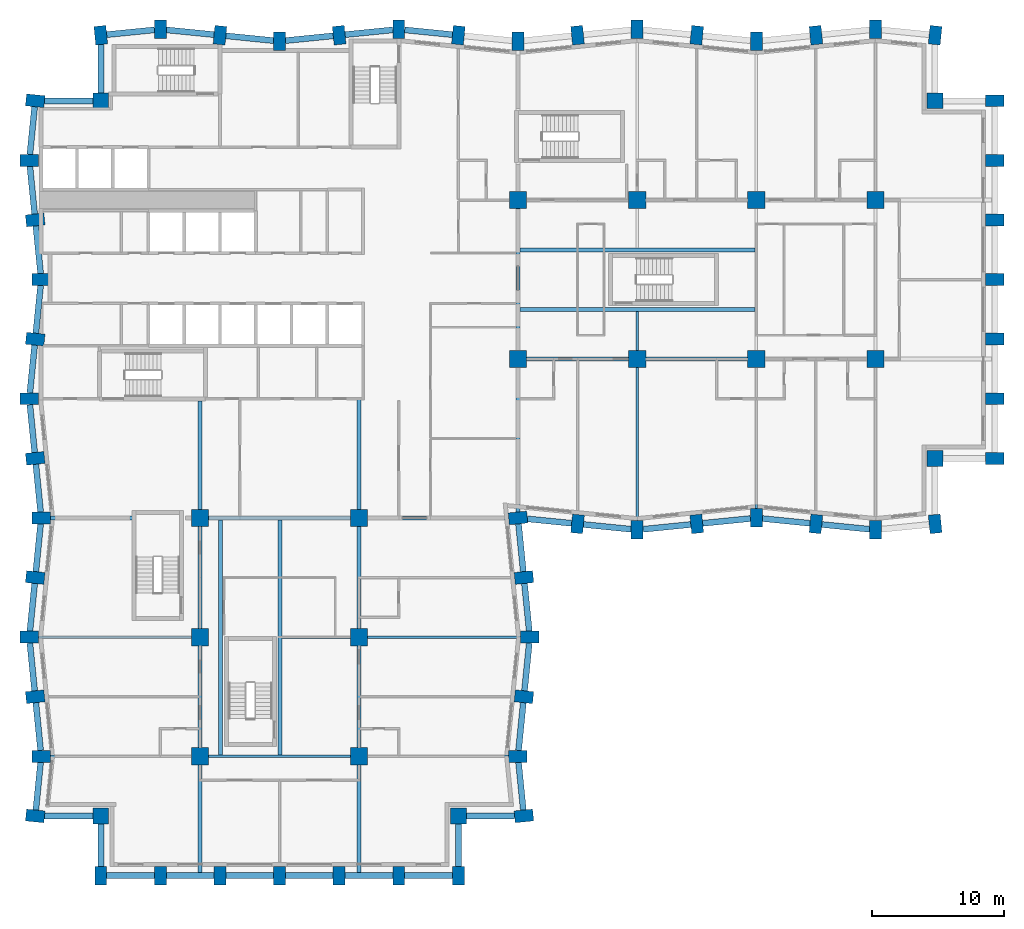
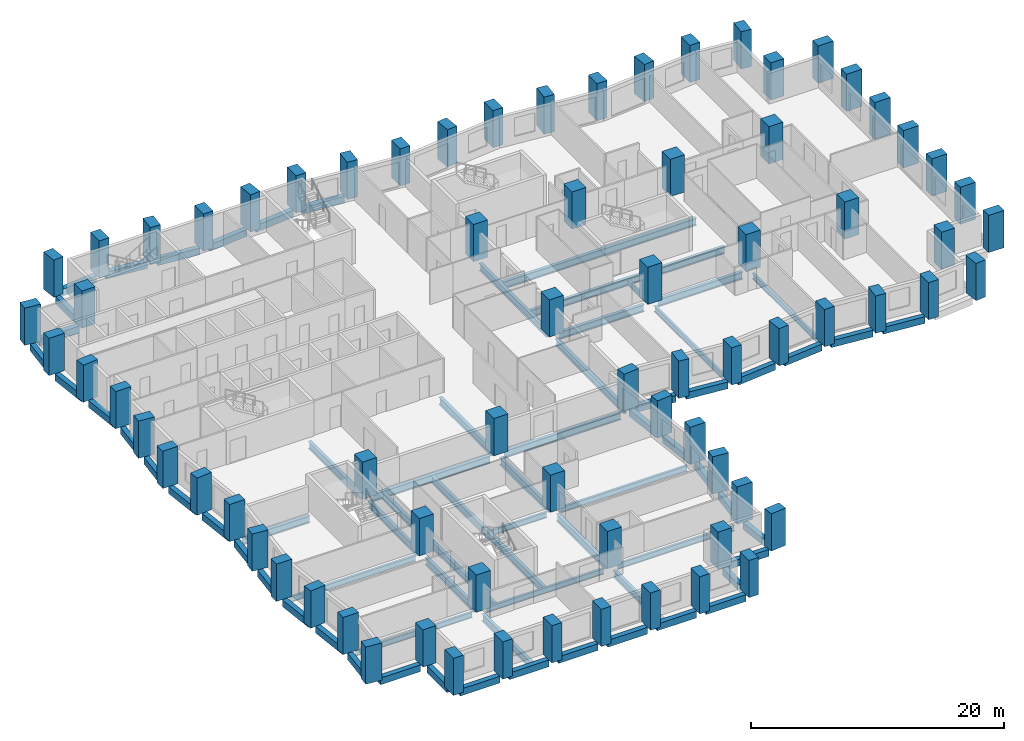
# One storey, part 1 of 12: 74 columns, 69 beams.
"""IFC4 building model written with IfcOpenShell, lengths in metres."""

from ifc_helpers import new_model, si_unit, direction, frame, origin, origin_2d, place, context, subcontext, project, spatial, rectangle, i_section, extrude, material, material_profile, profile_set, type_object, element, save


model = new_model("IFC4")

# Units and contexts
model_context = context("Model", 3, precision=1e-05, world=origin(), true_north=direction((0.0, 1.0)))
body_context = subcontext(model_context, "Body", "Model", "MODEL_VIEW")
ifc_project = project(units=[si_unit("LENGTHUNIT", "METRE"), si_unit("AREAUNIT", "SQUARE_METRE"), si_unit("VOLUMEUNIT", "CUBIC_METRE"), si_unit("PLANEANGLEUNIT", "RADIAN"), si_unit("MASSUNIT", "GRAM", prefix="KILO")], contexts=[model_context])

# Site, building, storey
site_placement = place(None, origin())
site = spatial("IfcSite", under=ifc_project, at=site_placement, CompositionType="ELEMENT")
building_placement = place(site_placement, origin())
building = spatial("IfcBuilding", under=site, at=building_placement, Name="Brondeck Convention Tower", CompositionType="ELEMENT")
storey_placement = place(building_placement, frame((0.0, 0.0, 66.300048828125)))
storey = spatial("IfcBuildingStorey", under=building, at=storey_placement, Name="L14", CompositionType="ELEMENT", Elevation=66.300048828125)

# Columns
ifc_material_1 = material(Name="Concrete C80/95", Category="concrete")
ifc_material_profile_1 = material_profile(ifc_material_1, rectangle(XDim=1.199951171875, YDim=1.199951171875, at=origin_2d()), Name="Corner column 1200x1200 Concrete C80/95")
ifc_profile_set_1 = profile_set([ifc_material_profile_1], Name="Concrete C80/95")
column_type_1 = type_object("IfcColumnType", Name="Corner column 1200x1200 Concrete C80/95", PredefinedType="COLUMN", material=ifc_profile_set_1)
for number, where, z_axis, x_axis, name in (
    (1, (4.5, 4.5, 0.0), (0.0, 0.0, 1.0), (1.0, 0.0, 0.0), "STR-COL-L14-NC-SWB0"),
    (2, (31.5, 4.5, 0.0), (0.0, 0.0, 1.0), (1.0, 0.0, 0.0), "STR-COL-L14-NC-SEB0"),
    (3, (67.5, 31.5, 0.0), (0.0, 0.0, 1.0), (1.0, 0.0, 0.0), "STR-COL-L14-NC-SEA72"),
    (4, (67.5, 58.5, 0.0), (0.0, 0.0, 1.0), (1.0, 0.0, 0.0), "STR-COL-L14-NC-NEA72"),
    (5, (4.5, 58.5, 0.0), (0.0, 0.0, 1.0), (1.0, 0.0, 0.0), "STR-COL-L14-NC-NW"),
):
    element("IfcColumn", number, at=place(storey_placement, frame(where, z_axis=z_axis, x_axis=x_axis)), inside=storey, type_object=column_type_1, Name=name, PredefinedType="COLUMN", context=body_context, shape_type="SweptSolid", body=[
        extrude(rectangle(XDim=1.199951171875, YDim=1.199951171875, at=origin_2d()), origin(), (0.0, 0.0, 1.0), 3.599853515625),
    ])
ifc_material_profile_2 = material_profile(ifc_material_1, rectangle(XDim=1.300048828125, YDim=1.300048828125, at=origin_2d()), Name="Interior column 1300x1300 Concrete C80/95")
ifc_profile_set_2 = profile_set([ifc_material_profile_2], Name="Concrete C80/95")
column_type_2 = type_object("IfcColumnType", Name="Interior column 1300x1300 Concrete C80/95", PredefinedType="COLUMN", material=ifc_profile_set_2)
for number, where, z_axis, x_axis, name in (
    (6, (12.0, 9.0, 0.0), (0.0, 0.0, 1.0), (1.0, 0.0, 0.0), "STR-COL-L14-IC-01"),
    (7, (12.0, 18.0, 0.0), (0.0, 0.0, 1.0), (1.0, 0.0, 0.0), "STR-COL-L14-IC-02"),
    (8, (12.0, 27.0, 0.0), (0.0, 0.0, 1.0), (1.0, 0.0, 0.0), "STR-COL-L14-IC-03"),
    (9, (24.0, 9.0, 0.0), (0.0, 0.0, 1.0), (1.0, 0.0, 0.0), "STR-COL-L14-IC-04"),
    (10, (24.0, 18.0, 0.0), (0.0, 0.0, 1.0), (1.0, 0.0, 0.0), "STR-COL-L14-IC-05"),
    (11, (24.0, 27.0, 0.0), (0.0, 0.0, 1.0), (1.0, 0.0, 0.0), "STR-COL-L14-IC-06"),
    (12, (36.0, 39.0, 0.0), (0.0, 0.0, 1.0), (1.0, 0.0, 0.0), "STR-COL-L14-IC-07"),
    (13, (36.0, 51.0, 0.0), (0.0, 0.0, 1.0), (1.0, 0.0, 0.0), "STR-COL-L14-IC-08"),
    (14, (45.0, 39.0, 0.0), (0.0, 0.0, 1.0), (1.0, 0.0, 0.0), "STR-COL-L14-IC-09"),
    (15, (45.0, 51.0, 0.0), (0.0, 0.0, 1.0), (1.0, 0.0, 0.0), "STR-COL-L14-IC-10"),
    (16, (54.0, 39.0, 0.0), (0.0, 0.0, 1.0), (1.0, 0.0, 0.0), "STR-COL-L14-IC-11"),
    (17, (54.0, 51.0, 0.0), (0.0, 0.0, 1.0), (1.0, 0.0, 0.0), "STR-COL-L14-IC-12"),
    (18, (63.0, 39.0, 0.0), (0.0, 0.0, 1.0), (1.0, 0.0, 0.0), "STR-COL-L14-IC-13"),
    (19, (63.0, 51.0, 0.0), (0.0, 0.0, 1.0), (1.0, 0.0, 0.0), "STR-COL-L14-IC-14"),
):
    element("IfcColumn", number, at=place(storey_placement, frame(where, z_axis=z_axis, x_axis=x_axis)), inside=storey, type_object=column_type_2, Name=name, PredefinedType="COLUMN", context=body_context, shape_type="SweptSolid", body=[
        extrude(rectangle(XDim=1.300048828125, YDim=1.300048828125, at=origin_2d()), origin(), (0.0, 0.0, 1.0), 3.599853515625),
    ])
ifc_material_profile_3 = material_profile(ifc_material_1, rectangle(XDim=0.89990234375, YDim=1.39990234375, at=origin_2d()), Name="Perimeter pier 900x1400 Concrete C80/95")
ifc_profile_set_3 = profile_set([ifc_material_profile_3], Name="Concrete C80/95")
column_type_3 = type_object("IfcColumnType", Name="Perimeter pier 900x1400 Concrete C80/95", PredefinedType="COLUMN", material=ifc_profile_set_3)
for number, where, z_axis, x_axis, name in (
    (20, (4.5, 0.0, 0.0), (0.0, 0.0, 1.0), (1.0, 0.0, 0.0), "STR-COL-L14-PC-B-S0-01"),
    (21, (9.0, 0.0, 0.0), (0.0, 0.0, 1.0), (1.0, 0.0, 0.0), "STR-COL-L14-PC-B-S0-02"),
    (22, (13.5, 0.0, 0.0), (0.0, 0.0, 1.0), (1.0, 0.0, 0.0), "STR-COL-L14-PC-B-S0-03"),
    (23, (18.0, 0.0, 0.0), (0.0, 0.0, 1.0), (1.0, 0.0, 0.0), "STR-COL-L14-PC-B-S0-04"),
    (24, (22.5, 0.0, 0.0), (0.0, 0.0, 1.0), (1.0, 0.0, 0.0), "STR-COL-L14-PC-B-S0-05"),
    (25, (27.0, 0.0, 0.0), (0.0, 0.0, 1.0), (1.0, 0.0, 0.0), "STR-COL-L14-PC-B-S0-06"),
    (26, (31.5, 0.0, 0.0), (0.0, 0.0, 1.0), (1.0, 0.0, 0.0), "STR-COL-L14-PC-B-S0-07"),
    (27, (36.449951171875, 4.5, 0.0), (0.0, 0.0, 1.0), (-0.0995038382, 0.995037178292, 0.0), "STR-COL-L14-PC-B-E-05"),
    (28, (36.0, 9.0, 0.0), (0.0, 0.0, 1.0), (0.0, 1.0, 0.0), "STR-COL-L14-PC-B-E-04"),
    (29, (36.449951171875, 13.5, 0.0), (0.0, 0.0, 1.0), (0.0995038382, 0.995037178292, 0.0), "STR-COL-L14-PC-B-E-03"),
    (30, (36.89990234375, 18.0, 0.0), (0.0, 0.0, 1.0), (0.0, 1.0, 0.0), "STR-COL-L14-PC-B-E-02"),
    (31, (36.449951171875, 22.5, 0.0), (0.0, 0.0, 1.0), (-0.0995038382, 0.995037178292, 0.0), "STR-COL-L14-PC-B-E-01"),
    (32, (36.0, 27.0, 0.0), (0.0, 0.0, 1.0), (-0.0995038382, 0.995037178292, 0.0), "STR-COL-L14-PC-B-E-00"),
    (33, (40.5, 26.550048828125, 0.0), (0.0, 0.0, 1.0), (0.995037178292, -0.0995038382, 0.0), "STR-COL-L14-PC-A-S-01"),
    (34, (45.0, 26.10009765625, 0.0), (0.0, 0.0, 1.0), (1.0, 0.0, 0.0), "STR-COL-L14-PC-A-S-02"),
    (35, (49.5, 26.550048828125, 0.0), (0.0, 0.0, 1.0), (0.995037178292, 0.0995038382, 0.0), "STR-COL-L14-PC-A-S-03"),
    (36, (54.0, 27.0, 0.0), (0.0, 0.0, 1.0), (1.0, 0.0, 0.0), "STR-COL-L14-PC-A-S-04"),
    (37, (58.5, 26.550048828125, 0.0), (0.0, 0.0, 1.0), (0.995037178292, -0.0995038382, 0.0), "STR-COL-L14-PC-A-S-05"),
    (38, (63.0, 26.10009765625, 0.0), (0.0, 0.0, 1.0), (1.0, 0.0, 0.0), "STR-COL-L14-PC-A-S-06"),
    (39, (67.5, 26.550048828125, 0.0), (0.0, 0.0, 1.0), (0.995037178292, 0.0995038382, 0.0), "STR-COL-L14-PC-A-S-07"),
    (40, (72.0, 31.5, 0.0), (0.0, 0.0, 1.0), (0.0, 1.0, 0.0), "STR-COL-L14-PC-A-E72-01"),
    (41, (72.0, 36.0, 0.0), (0.0, 0.0, 1.0), (0.0, 1.0, 0.0), "STR-COL-L14-PC-A-E72-02"),
    (42, (72.0, 40.5, 0.0), (0.0, 0.0, 1.0), (0.0, 1.0, 0.0), "STR-COL-L14-PC-A-E72-03"),
    (43, (72.0, 45.0, 0.0), (0.0, 0.0, 1.0), (0.0, 1.0, 0.0), "STR-COL-L14-PC-A-E72-04"),
    (44, (72.0, 49.5, 0.0), (0.0, 0.0, 1.0), (0.0, 1.0, 0.0), "STR-COL-L14-PC-A-E72-05"),
    (45, (72.0, 54.0, 0.0), (0.0, 0.0, 1.0), (0.0, 1.0, 0.0), "STR-COL-L14-PC-A-E72-06"),
    (46, (72.0, 58.5, 0.0), (0.0, 0.0, 1.0), (0.0, 1.0, 0.0), "STR-COL-L14-PC-A-E72-07"),
    (47, (67.5, 63.449951171875, 0.0), (0.0, 0.0, 1.0), (-0.995037178292, 0.0995038382, 0.0), "STR-COL-L14-PC-A-N-15"),
    (48, (63.0, 63.89990234375, 0.0), (0.0, 0.0, 1.0), (-1.0, 0.0, 0.0), "STR-COL-L14-PC-A-N-14"),
    (49, (58.5, 63.449951171875, 0.0), (0.0, 0.0, 1.0), (-0.995037178292, -0.0995038382, 0.0), "STR-COL-L14-PC-A-N-13"),
    (50, (54.0, 63.0, 0.0), (0.0, 0.0, 1.0), (-1.0, 0.0, 0.0), "STR-COL-L14-PC-A-N-12"),
    (51, (49.5, 63.449951171875, 0.0), (0.0, 0.0, 1.0), (-0.995037178292, 0.0995038382, 0.0), "STR-COL-L14-PC-A-N-11"),
    (52, (45.0, 63.89990234375, 0.0), (0.0, 0.0, 1.0), (-1.0, 0.0, 0.0), "STR-COL-L14-PC-A-N-10"),
    (53, (40.5, 63.449951171875, 0.0), (0.0, 0.0, 1.0), (-0.995037178292, -0.0995038382, 0.0), "STR-COL-L14-PC-A-N-09"),
    (54, (36.0, 63.0, 0.0), (0.0, 0.0, 1.0), (-1.0, 0.0, 0.0), "STR-COL-L14-PC-A-N-08"),
    (55, (31.5, 63.449951171875, 0.0), (0.0, 0.0, 1.0), (-0.995037178292, 0.0995038382, 0.0), "STR-COL-L14-PC-A-N-07"),
    (56, (27.0, 63.89990234375, 0.0), (0.0, 0.0, 1.0), (-1.0, 0.0, 0.0), "STR-COL-L14-PC-A-N-06"),
    (57, (22.5, 63.449951171875, 0.0), (0.0, 0.0, 1.0), (-0.995037178292, -0.0995038382, 0.0), "STR-COL-L14-PC-A-N-05"),
    (58, (18.0, 63.0, 0.0), (0.0, 0.0, 1.0), (-1.0, 0.0, 0.0), "STR-COL-L14-PC-A-N-04"),
    (59, (13.5, 63.449951171875, 0.0), (0.0, 0.0, 1.0), (-0.995037178292, 0.0995038382, 0.0), "STR-COL-L14-PC-A-N-03"),
    (60, (9.0, 63.89990234375, 0.0), (0.0, 0.0, 1.0), (-1.0, 0.0, 0.0), "STR-COL-L14-PC-A-N-02"),
    (61, (4.5, 63.449951171875, 0.0), (0.0, 0.0, 1.0), (-0.995037178292, -0.0995038382, 0.0), "STR-COL-L14-PC-A-N-01"),
    (62, (-0.449951171875, 58.5, 0.0), (0.0, 0.0, 1.0), (-0.0995038382, -0.995037178292, 0.0), "STR-COL-L14-PC-B-W-01"),
    (63, (-0.89990234375, 54.0, 0.0), (0.0, 0.0, 1.0), (0.0, -1.0, 0.0), "STR-COL-L14-PC-B-W-02"),
    (64, (-0.449951171875, 49.5, 0.0), (0.0, 0.0, 1.0), (0.0995038382, -0.995037178292, 0.0), "STR-COL-L14-PC-B-W-03"),
    (65, (0.0, 45.0, 0.0), (0.0, 0.0, 1.0), (0.0, -1.0, 0.0), "STR-COL-L14-PC-B-W-04"),
    (66, (-0.449951171875, 40.5, 0.0), (0.0, 0.0, 1.0), (-0.0995038382, -0.995037178292, 0.0), "STR-COL-L14-PC-B-W-05"),
    (67, (-0.89990234375, 36.0, 0.0), (0.0, 0.0, 1.0), (0.0, -1.0, 0.0), "STR-COL-L14-PC-B-W-06"),
    (68, (-0.449951171875, 31.5, 0.0), (0.0, 0.0, 1.0), (0.0995038382, -0.995037178292, 0.0), "STR-COL-L14-PC-B-W-07"),
    (69, (0.0, 27.0, 0.0), (0.0, 0.0, 1.0), (0.0, -1.0, 0.0), "STR-COL-L14-PC-B-W-08"),
    (70, (-0.449951171875, 22.5, 0.0), (0.0, 0.0, 1.0), (-0.0995038382, -0.995037178292, 0.0), "STR-COL-L14-PC-B-W-09"),
    (71, (-0.89990234375, 18.0, 0.0), (0.0, 0.0, 1.0), (0.0, -1.0, 0.0), "STR-COL-L14-PC-B-W-10"),
    (72, (-0.449951171875, 13.5, 0.0), (0.0, 0.0, 1.0), (0.0995038382, -0.995037178292, 0.0), "STR-COL-L14-PC-B-W-11"),
    (73, (0.0, 9.0, 0.0), (0.0, 0.0, 1.0), (0.0, -1.0, 0.0), "STR-COL-L14-PC-B-W-12"),
    (74, (-0.449951171875, 4.5, 0.0), (0.0, 0.0, 1.0), (-0.0995038382, -0.995037178292, 0.0), "STR-COL-L14-PC-B-W-13"),
):
    element("IfcColumn", number, at=place(storey_placement, frame(where, z_axis=z_axis, x_axis=x_axis)), inside=storey, type_object=column_type_3, Name=name, PredefinedType="COLUMN", context=body_context, shape_type="SweptSolid", body=[
        extrude(rectangle(XDim=0.89990234375, YDim=1.39990234375, at=origin_2d()), origin(), (0.0, 0.0, 1.0), 3.599853515625),
    ])

# Beams
ifc_material_2 = material(Name="Steel S355", Category="steel")
ifc_material_profile_4 = material_profile(ifc_material_2, i_section(OverallWidth=0.2099609375, OverallDepth=0.550048828125, WebThickness=0.010986328125, FlangeThickness=0.01708984375, FilletRadius=0.02392578125, at=origin_2d()), Name="IPE 550")
ifc_profile_set_4 = profile_set([ifc_material_profile_4], Name="Steel S355")
beam_type_1 = type_object("IfcBeamType", Name="Floor beam IPE 550", PredefinedType="BEAM", material=ifc_profile_set_4)
beam_1_placement = place(storey_placement, frame((45.0, 26.800048828125, -0.574951171875), z_axis=(0.0, 1.0, 0.0), x_axis=(-1.0, 0.0, 0.0)))
element("IfcBeam", 75, at=beam_1_placement, inside=storey, type_object=beam_type_1, Name="STR-FB-L14-001", PredefinedType="BEAM", context=body_context, shape_type="SweptSolid", body=[
    extrude(i_section(OverallWidth=0.2099609375, OverallDepth=0.550048828125, WebThickness=0.010986328125, FlangeThickness=0.01708984375, FilletRadius=0.02392578125, at=origin_2d()), origin(), (0.0, 0.0, 1.0), 11.550048828125),
])
for number, where, z_axis, x_axis, name in (
    (76, (54.0, 27.699951171875, -0.574951171875), (0.0, 1.0, 0.0), (-1.0, 0.0, 0.0), "STR-FB-L14-003"),
    (77, (0.699951171875, 9.0, -0.574951171875), (1.0, 0.0, 0.0), (0.0, 1.0, 0.0), "STR-FB-L14-009"),
):
    element("IfcBeam", number, at=place(storey_placement, frame(where, z_axis=z_axis, x_axis=x_axis)), inside=storey, type_object=beam_type_1, Name=name, PredefinedType="BEAM", context=body_context, shape_type="SweptSolid", body=[
        extrude(i_section(OverallWidth=0.2099609375, OverallDepth=0.550048828125, WebThickness=0.010986328125, FlangeThickness=0.01708984375, FilletRadius=0.02392578125, at=origin_2d()), origin(), (0.0, 0.0, 1.0), 10.650146484375),
    ])
beam_2_placement = place(storey_placement, frame((12.64990234375, 9.0, -0.574951171875), z_axis=(1.0, 0.0, 0.0), x_axis=(0.0, 1.0, 0.0)))
element("IfcBeam", 78, at=beam_2_placement, inside=storey, type_object=beam_type_1, Name="STR-FB-L14-010", PredefinedType="BEAM", context=body_context, shape_type="SweptSolid", body=[
    extrude(i_section(OverallWidth=0.2099609375, OverallDepth=0.550048828125, WebThickness=0.010986328125, FlangeThickness=0.01708984375, FilletRadius=0.02392578125, at=origin_2d()), origin(), (0.0, 0.0, 1.0), 10.7001953125),
])
beam_3_placement = place(storey_placement, frame((24.64990234375, 9.0, -0.574951171875), z_axis=(1.0, 0.0, 0.0), x_axis=(0.0, 1.0, 0.0)))
element("IfcBeam", 79, at=beam_3_placement, inside=storey, type_object=beam_type_1, Name="STR-FB-L14-011", PredefinedType="BEAM", context=body_context, shape_type="SweptSolid", body=[
    extrude(i_section(OverallWidth=0.2099609375, OverallDepth=0.550048828125, WebThickness=0.010986328125, FlangeThickness=0.01708984375, FilletRadius=0.02392578125, at=origin_2d()), origin(), (0.0, 0.0, 1.0), 10.650146484375),
])
for number, where, z_axis, x_axis, name in (
    (80, (-0.199951171875, 18.0, -0.574951171875), (1.0, 0.0, 0.0), (0.0, 1.0, 0.0), "STR-FB-L14-012"),
    (81, (24.64990234375, 18.0, -0.574951171875), (1.0, 0.0, 0.0), (0.0, 1.0, 0.0), "STR-FB-L14-013"),
):
    element("IfcBeam", number, at=place(storey_placement, frame(where, z_axis=z_axis, x_axis=x_axis)), inside=storey, type_object=beam_type_1, Name=name, PredefinedType="BEAM", context=body_context, shape_type="SweptSolid", body=[
        extrude(i_section(OverallWidth=0.2099609375, OverallDepth=0.550048828125, WebThickness=0.010986328125, FlangeThickness=0.01708984375, FilletRadius=0.02392578125, at=origin_2d()), origin(), (0.0, 0.0, 1.0), 11.550048828125),
    ])
beam_4_placement = place(storey_placement, frame((45.0, 39.64990234375, -0.574951171875), z_axis=(0.0, 1.0, 0.0), x_axis=(-1.0, 0.0, 0.0)))
element("IfcBeam", 82, at=beam_4_placement, inside=storey, type_object=beam_type_1, Name="STR-FB-L14-014", PredefinedType="BEAM", context=body_context, shape_type="SweptSolid", body=[
    extrude(i_section(OverallWidth=0.2099609375, OverallDepth=0.550048828125, WebThickness=0.010986328125, FlangeThickness=0.01708984375, FilletRadius=0.02392578125, at=origin_2d()), origin(), (0.0, 0.0, 1.0), 2.9501953125),
])
beam_5_placement = place(storey_placement, frame((18.199951171875, 18.0, -0.574951171875), z_axis=(1.0, 0.0, 0.0), x_axis=(0.0, 1.0, 0.0)))
element("IfcBeam", 83, at=beam_5_placement, inside=storey, type_object=beam_type_1, Name="STR-FB-L14-016", PredefinedType="BEAM", context=body_context, shape_type="SweptSolid", body=[
    extrude(i_section(OverallWidth=0.2099609375, OverallDepth=0.550048828125, WebThickness=0.010986328125, FlangeThickness=0.01708984375, FilletRadius=0.02392578125, at=origin_2d()), origin(), (0.0, 0.0, 1.0), 5.150146484375),
])
ifc_material_profile_5 = material_profile(ifc_material_2, i_section(OverallWidth=0.300048828125, OverallDepth=0.699951171875, WebThickness=0.01708984375, FlangeThickness=0.031982421875, FilletRadius=0.027099609375, at=origin_2d()), Name="HEB 700")
ifc_profile_set_5 = profile_set([ifc_material_profile_5], Name="Steel S355")
beam_type_2 = type_object("IfcBeamType", Name="Girder HEB 700", PredefinedType="BEAM", material=ifc_profile_set_5)
for number, where, z_axis, x_axis, name in (
    (84, (36.64990234375, 39.0, -0.650146484375), (1.0, 0.0, 0.0), (0.0, 1.0, 0.0), "STR-GR-L14-001"),
    (85, (45.64990234375, 39.0, -0.650146484375), (1.0, 0.0, 0.0), (0.0, 1.0, 0.0), "STR-GR-L14-002"),
):
    element("IfcBeam", number, at=place(storey_placement, frame(where, z_axis=z_axis, x_axis=x_axis)), inside=storey, type_object=beam_type_2, Name=name, PredefinedType="BEAM", context=body_context, shape_type="SweptSolid", body=[
        extrude(i_section(OverallWidth=0.300048828125, OverallDepth=0.699951171875, WebThickness=0.01708984375, FlangeThickness=0.031982421875, FilletRadius=0.027099609375, at=origin_2d()), origin(), (0.0, 0.0, 1.0), 7.7001953125),
    ])
beam_6_placement = place(storey_placement, frame((36.0, 27.4521484375, -0.650146484375), z_axis=(0.0, 1.0, 0.0), x_axis=(-1.0, 0.0, 0.0)))
element("IfcBeam", 86, at=beam_6_placement, inside=storey, type_object=beam_type_2, Name="STR-GR-L14-009", PredefinedType="BEAM", context=body_context, shape_type="SweptSolid", body=[
    extrude(i_section(OverallWidth=0.300048828125, OverallDepth=0.699951171875, WebThickness=0.01708984375, FlangeThickness=0.031982421875, FilletRadius=0.027099609375, at=origin_2d()), origin(), (0.0, 0.0, 1.0), 10.89794921875),
])
beam_7_placement = place(storey_placement, frame((36.0, 39.64990234375, -0.650146484375), z_axis=(0.0, 1.0, 0.0), x_axis=(-1.0, 0.0, 0.0)))
element("IfcBeam", 87, at=beam_7_placement, inside=storey, type_object=beam_type_2, Name="STR-GR-L14-010", PredefinedType="BEAM", context=body_context, shape_type="SweptSolid", body=[
    extrude(i_section(OverallWidth=0.300048828125, OverallDepth=0.699951171875, WebThickness=0.01708984375, FlangeThickness=0.031982421875, FilletRadius=0.027099609375, at=origin_2d()), origin(), (0.0, 0.0, 1.0), 10.7001953125),
])
beam_8_placement = place(storey_placement, frame((12.0, 35.85009765625, -0.650146484375), z_axis=(0.0, -1.0, 0.0), x_axis=(1.0, 0.0, 0.0)))
element("IfcBeam", 88, at=beam_8_placement, inside=storey, type_object=beam_type_2, Name="STR-GR-L14-013", PredefinedType="BEAM", context=body_context, shape_type="SweptSolid", body=[
    extrude(i_section(OverallWidth=0.300048828125, OverallDepth=0.699951171875, WebThickness=0.01708984375, FlangeThickness=0.031982421875, FilletRadius=0.027099609375, at=origin_2d()), origin(), (0.0, 0.0, 1.0), 8.2001953125),
])
for number, where, z_axis, x_axis, name in (
    (89, (12.0, 26.35009765625, -0.650146484375), (0.0, -1.0, 0.0), (1.0, 0.0, 0.0), "STR-GR-L14-014"),
    (90, (12.0, 17.35009765625, -0.650146484375), (0.0, -1.0, 0.0), (1.0, 0.0, 0.0), "STR-GR-L14-015"),
):
    element("IfcBeam", number, at=place(storey_placement, frame(where, z_axis=z_axis, x_axis=x_axis)), inside=storey, type_object=beam_type_2, Name=name, PredefinedType="BEAM", context=body_context, shape_type="SweptSolid", body=[
        extrude(i_section(OverallWidth=0.300048828125, OverallDepth=0.699951171875, WebThickness=0.01708984375, FlangeThickness=0.031982421875, FilletRadius=0.027099609375, at=origin_2d()), origin(), (0.0, 0.0, 1.0), 7.7001953125),
    ])
beam_9_placement = place(storey_placement, frame((12.0, 8.35009765625, -0.650146484375), z_axis=(0.0, -1.0, 0.0), x_axis=(1.0, 0.0, 0.0)))
element("IfcBeam", 91, at=beam_9_placement, inside=storey, type_object=beam_type_2, Name="STR-GR-L14-016", PredefinedType="BEAM", context=body_context, shape_type="SweptSolid", body=[
    extrude(i_section(OverallWidth=0.300048828125, OverallDepth=0.699951171875, WebThickness=0.01708984375, FlangeThickness=0.031982421875, FilletRadius=0.027099609375, at=origin_2d()), origin(), (0.0, 0.0, 1.0), 8.125),
])
beam_10_placement = place(storey_placement, frame((24.0, 35.955078125, -0.650146484375), z_axis=(0.0, -1.0, 0.0), x_axis=(1.0, 0.0, 0.0)))
element("IfcBeam", 92, at=beam_10_placement, inside=storey, type_object=beam_type_2, Name="STR-GR-L14-017", PredefinedType="BEAM", context=body_context, shape_type="SweptSolid", body=[
    extrude(i_section(OverallWidth=0.300048828125, OverallDepth=0.699951171875, WebThickness=0.01708984375, FlangeThickness=0.031982421875, FilletRadius=0.027099609375, at=origin_2d()), origin(), (0.0, 0.0, 1.0), 8.30517578125),
])
for number, where, z_axis, x_axis, name in (
    (93, (24.0, 26.35009765625, -0.650146484375), (0.0, -1.0, 0.0), (1.0, 0.0, 0.0), "STR-GR-L14-018"),
    (94, (24.0, 17.35009765625, -0.650146484375), (0.0, -1.0, 0.0), (1.0, 0.0, 0.0), "STR-GR-L14-019"),
):
    element("IfcBeam", number, at=place(storey_placement, frame(where, z_axis=z_axis, x_axis=x_axis)), inside=storey, type_object=beam_type_2, Name=name, PredefinedType="BEAM", context=body_context, shape_type="SweptSolid", body=[
        extrude(i_section(OverallWidth=0.300048828125, OverallDepth=0.699951171875, WebThickness=0.01708984375, FlangeThickness=0.031982421875, FilletRadius=0.027099609375, at=origin_2d()), origin(), (0.0, 0.0, 1.0), 7.7001953125),
    ])
beam_11_placement = place(storey_placement, frame((24.0, 8.35009765625, -0.650146484375), z_axis=(0.0, -1.0, 0.0), x_axis=(1.0, 0.0, 0.0)))
element("IfcBeam", 95, at=beam_11_placement, inside=storey, type_object=beam_type_2, Name="STR-GR-L14-020", PredefinedType="BEAM", context=body_context, shape_type="SweptSolid", body=[
    extrude(i_section(OverallWidth=0.300048828125, OverallDepth=0.699951171875, WebThickness=0.01708984375, FlangeThickness=0.031982421875, FilletRadius=0.027099609375, at=origin_2d()), origin(), (0.0, 0.0, 1.0), 8.125),
])
beam_12_placement = place(storey_placement, frame((0.699951171875, 27.0, -0.650146484375), z_axis=(1.0, 0.0, 0.0), x_axis=(0.0, 1.0, 0.0)))
element("IfcBeam", 96, at=beam_12_placement, inside=storey, type_object=beam_type_2, Name="STR-GR-L14-021", PredefinedType="BEAM", context=body_context, shape_type="SweptSolid", body=[
    extrude(i_section(OverallWidth=0.300048828125, OverallDepth=0.699951171875, WebThickness=0.01708984375, FlangeThickness=0.031982421875, FilletRadius=0.027099609375, at=origin_2d()), origin(), (0.0, 0.0, 1.0), 6.179931640625),
])
beam_13_placement = place(storey_placement, frame((12.64990234375, 27.0, -0.650146484375), z_axis=(1.0, 0.0, 0.0), x_axis=(0.0, 1.0, 0.0)))
element("IfcBeam", 97, at=beam_13_placement, inside=storey, type_object=beam_type_2, Name="STR-GR-L14-022", PredefinedType="BEAM", context=body_context, shape_type="SweptSolid", body=[
    extrude(i_section(OverallWidth=0.300048828125, OverallDepth=0.699951171875, WebThickness=0.01708984375, FlangeThickness=0.031982421875, FilletRadius=0.027099609375, at=origin_2d()), origin(), (0.0, 0.0, 1.0), 10.7001953125),
])
beam_14_placement = place(storey_placement, frame((24.64990234375, 27.0, -0.650146484375), z_axis=(1.0, 0.0, 0.0), x_axis=(0.0, 1.0, 0.0)))
element("IfcBeam", 98, at=beam_14_placement, inside=storey, type_object=beam_type_2, Name="STR-GR-L14-023", PredefinedType="BEAM", context=body_context, shape_type="SweptSolid", body=[
    extrude(i_section(OverallWidth=0.300048828125, OverallDepth=0.699951171875, WebThickness=0.01708984375, FlangeThickness=0.031982421875, FilletRadius=0.027099609375, at=origin_2d()), origin(), (0.0, 0.0, 1.0), 10.646484375),
])
for number, where, z_axis, x_axis, name in (
    (99, (36.14990234375, 42.75, -0.650146484375), (1.0, 0.0, 0.0), (0.0, 1.0, 0.0), "STR-GR-L14-024"),
    (100, (36.14990234375, 47.25, -0.650146484375), (1.0, 0.0, 0.0), (0.0, 1.0, 0.0), "STR-GR-L14-025"),
    (101, (13.550048828125, 9.10498046875, -0.650146484375), (0.0, 1.0, 0.0), (-1.0, 0.0, 0.0), "STR-GR-L14-026"),
    (102, (18.050048828125, 9.10498046875, -0.650146484375), (0.0, 1.0, 0.0), (-1.0, 0.0, 0.0), "STR-GR-L14-027"),
):
    element("IfcBeam", number, at=place(storey_placement, frame(where, z_axis=z_axis, x_axis=x_axis)), inside=storey, type_object=beam_type_2, Name=name, PredefinedType="BEAM", context=body_context, shape_type="SweptSolid", body=[
        extrude(i_section(OverallWidth=0.300048828125, OverallDepth=0.699951171875, WebThickness=0.01708984375, FlangeThickness=0.031982421875, FilletRadius=0.027099609375, at=origin_2d()), origin(), (0.0, 0.0, 1.0), 17.7451171875),
    ])
ifc_material_profile_6 = material_profile(ifc_material_1, rectangle(XDim=0.449951171875, YDim=0.64990234375, at=origin_2d()), Name="Precast spandrel 450x650 Concrete C80/95")
ifc_profile_set_6 = profile_set([ifc_material_profile_6], Name="Concrete C80/95")
beam_type_3 = type_object("IfcBeamType", Name="Precast spandrel 450x650 Concrete C80/95", PredefinedType="SPANDREL", material=ifc_profile_set_6)
for number, where, z_axis, x_axis, name in (
    (103, (4.949951171875, 0.0, -0.324951171875), (1.0, 0.0, 0.0), (0.0, 1.0, 0.0), "STR-SP-L14-001"),
    (104, (9.449951171875, 0.0, -0.324951171875), (1.0, 0.0, 0.0), (0.0, 1.0, 0.0), "STR-SP-L14-002"),
    (105, (13.949951171875, 0.0, -0.324951171875), (1.0, 0.0, 0.0), (0.0, 1.0, 0.0), "STR-SP-L14-003"),
    (106, (18.449951171875, 0.0, -0.324951171875), (1.0, 0.0, 0.0), (0.0, 1.0, 0.0), "STR-SP-L14-004"),
    (107, (22.949951171875, 0.0, -0.324951171875), (1.0, 0.0, 0.0), (0.0, 1.0, 0.0), "STR-SP-L14-005"),
    (108, (27.449951171875, 0.0, -0.324951171875), (1.0, 0.0, 0.0), (0.0, 1.0, 0.0), "STR-SP-L14-006"),
):
    element("IfcBeam", number, at=place(storey_placement, frame(where, z_axis=z_axis, x_axis=x_axis)), inside=storey, type_object=beam_type_3, Name=name, PredefinedType="SPANDREL", context=body_context, shape_type="SweptSolid", body=[
        extrude(rectangle(XDim=0.449951171875, YDim=0.64990234375, at=origin_2d()), origin(), (0.0, 0.0, 1.0), 3.60009765625),
    ])
beam_15_placement = place(storey_placement, frame((31.5, 0.699951171875, -0.324951171875), z_axis=(0.0, 1.0, 0.0), x_axis=(-1.0, 0.0, 0.0)))
element("IfcBeam", 109, at=beam_15_placement, inside=storey, type_object=beam_type_3, Name="STR-SP-L14-007", PredefinedType="SPANDREL", context=body_context, shape_type="SweptSolid", body=[
    extrude(rectangle(XDim=0.449951171875, YDim=0.64990234375, at=origin_2d()), origin(), (0.0, 0.0, 1.0), 3.199951171875),
])
beam_16_placement = place(storey_placement, frame((32.10009765625, 4.5, -0.324951171875), z_axis=(1.0, 0.0, 0.0), x_axis=(0.0, 1.0, 0.0)))
element("IfcBeam", 110, at=beam_16_placement, inside=storey, type_object=beam_type_3, Name="STR-SP-L14-008", PredefinedType="SPANDREL", context=body_context, shape_type="SweptSolid", body=[
    extrude(rectangle(XDim=0.449951171875, YDim=0.64990234375, at=origin_2d()), origin(), (0.0, 0.0, 1.0), 3.646484375),
])
for number, where, z_axis, x_axis, name in (
    (111, (36.4052734375, 4.94775390625, -0.324951171875), (-0.099537103649, 0.995033851182, 0.0), (-0.995033851182, -0.099537103649, 0.0), "STR-SP-L14-009"),
    (112, (36.044921875, 9.449951171875, -0.324951171875), (0.099537103649, 0.995033851182, 0.0), (-0.995033851182, 0.099537103649, 0.0), "STR-SP-L14-010"),
    (113, (36.494873046875, 13.94775390625, -0.324951171875), (0.099470334057, 0.995040528141, 0.0), (-0.995040528141, 0.099470334057, 0.0), "STR-SP-L14-011"),
    (114, (36.85498046875, 18.449951171875, -0.324951171875), (-0.099470334057, 0.995040528141, 0.0), (-0.995040528141, -0.099470334057, 0.0), "STR-SP-L14-012"),
):
    element("IfcBeam", number, at=place(storey_placement, frame(where, z_axis=z_axis, x_axis=x_axis)), inside=storey, type_object=beam_type_3, Name=name, PredefinedType="SPANDREL", context=body_context, shape_type="SweptSolid", body=[
        extrude(rectangle(XDim=0.449951171875, YDim=0.64990234375, at=origin_2d()), origin(), (0.0, 0.0, 1.0), 3.620361328125),
    ])
beam_17_placement = place(storey_placement, frame((36.4052734375, 22.94775390625, -0.324951171875), z_axis=(-0.099543756114, 0.995033185687, 0.0), x_axis=(-0.995033185687, -0.099543756114, 0.0)))
element("IfcBeam", 115, at=beam_17_placement, inside=storey, type_object=beam_type_3, Name="STR-SP-L14-013", PredefinedType="SPANDREL", context=body_context, shape_type="SweptSolid", body=[
    extrude(rectangle(XDim=0.449951171875, YDim=0.64990234375, at=origin_2d()), origin(), (0.0, 0.0, 1.0), 3.62255859375),
])
beam_18_placement = place(storey_placement, frame((36.710693359375, 26.928955078125, -0.324951171875), z_axis=(0.995035030591, -0.099525312843, 0.0), x_axis=(0.099525312843, 0.995035030591, 0.0)))
element("IfcBeam", 116, at=beam_18_placement, inside=storey, type_object=beam_type_3, Name="STR-SP-L14-014", PredefinedType="SPANDREL", context=body_context, shape_type="SweptSolid", body=[
    extrude(rectangle(XDim=0.449951171875, YDim=0.64990234375, at=origin_2d()), origin(), (0.0, 0.0, 1.0), 3.358154296875),
])
for number, where, z_axis, x_axis, name in (
    (117, (40.94775390625, 26.505126953125, -0.324951171875), (0.995040528141, -0.099470334057, 0.0), (0.099470334057, 0.995040528141, 0.0), "STR-SP-L14-015"),
    (118, (45.449951171875, 26.14501953125, -0.324951171875), (0.995040528141, 0.099470334057, 0.0), (-0.099470334057, 0.995040528141, 0.0), "STR-SP-L14-016"),
    (119, (49.94775390625, 26.5947265625, -0.324951171875), (0.995033851182, 0.099537103649, 0.0), (-0.099537103649, 0.995033851182, 0.0), "STR-SP-L14-017"),
    (120, (54.449951171875, 26.955078125, -0.324951171875), (0.995033851182, -0.099537103649, 0.0), (0.099537103649, 0.995033851182, 0.0), "STR-SP-L14-018"),
    (121, (58.94775390625, 26.505126953125, -0.324951171875), (0.995040528141, -0.099470334057, 0.0), (0.099470334057, 0.995040528141, 0.0), "STR-SP-L14-019"),
    (122, (31.05224609375, 63.494873046875, -0.324951171875), (-0.995040528141, 0.099470334057, 0.0), (-0.099470334057, -0.995040528141, 0.0), "STR-SP-L14-039"),
    (123, (26.550048828125, 63.85498046875, -0.324951171875), (-0.995040528141, -0.099470334057, 0.0), (0.099470334057, -0.995040528141, 0.0), "STR-SP-L14-040"),
    (124, (22.05224609375, 63.4052734375, -0.324951171875), (-0.995033851182, -0.099537103649, 0.0), (0.099537103649, -0.995033851182, 0.0), "STR-SP-L14-041"),
    (125, (17.550048828125, 63.044921875, -0.324951171875), (-0.995033851182, 0.099537103649, 0.0), (-0.099537103649, -0.995033851182, 0.0), "STR-SP-L14-042"),
    (126, (13.05224609375, 63.494873046875, -0.324951171875), (-0.995040528141, 0.099470334057, 0.0), (-0.099470334057, -0.995040528141, 0.0), "STR-SP-L14-043"),
    (127, (8.550048828125, 63.85498046875, -0.324951171875), (-0.995040528141, -0.099470334057, 0.0), (0.099470334057, -0.995040528141, 0.0), "STR-SP-L14-044"),
):
    element("IfcBeam", number, at=place(storey_placement, frame(where, z_axis=z_axis, x_axis=x_axis)), inside=storey, type_object=beam_type_3, Name=name, PredefinedType="SPANDREL", context=body_context, shape_type="SweptSolid", body=[
        extrude(rectangle(XDim=0.449951171875, YDim=0.64990234375, at=origin_2d()), origin(), (0.0, 0.0, 1.0), 3.620361328125),
    ])
for number, where, z_axis, x_axis, name in (
    (128, (4.5, 62.74658203125, -0.324951171875), (0.0, -1.0, 0.0), (1.0, 0.0, 0.0), "STR-SP-L14-045"),
    (129, (3.89990234375, 58.5, -0.324951171875), (-1.0, 0.0, 0.0), (0.0, -1.0, 0.0), "STR-SP-L14-046"),
):
    element("IfcBeam", number, at=place(storey_placement, frame(where, z_axis=z_axis, x_axis=x_axis)), inside=storey, type_object=beam_type_3, Name=name, PredefinedType="SPANDREL", context=body_context, shape_type="SweptSolid", body=[
        extrude(rectangle(XDim=0.449951171875, YDim=0.64990234375, at=origin_2d()), origin(), (0.0, 0.0, 1.0), 3.646484375),
    ])
for number, where, z_axis, x_axis, name in (
    (130, (-0.494873046875, 58.05224609375, -0.324951171875), (-0.099470334057, -0.995040528141, 0.0), (0.995040528141, -0.099470334057, 0.0), "STR-SP-L14-047"),
    (131, (-0.85498046875, 53.550048828125, -0.324951171875), (0.099470334057, -0.995040528141, 0.0), (0.995040528141, 0.099470334057, 0.0), "STR-SP-L14-048"),
    (132, (-0.4052734375, 49.05224609375, -0.324951171875), (0.099537103649, -0.995033851182, 0.0), (0.995033851182, 0.099537103649, 0.0), "STR-SP-L14-049"),
    (133, (-0.044921875, 44.550048828125, -0.324951171875), (-0.099537103649, -0.995033851182, 0.0), (0.995033851182, -0.099537103649, 0.0), "STR-SP-L14-050"),
    (134, (-0.494873046875, 40.05224609375, -0.324951171875), (-0.099470334057, -0.995040528141, 0.0), (0.995040528141, -0.099470334057, 0.0), "STR-SP-L14-051"),
    (135, (-0.85498046875, 35.550048828125, -0.324951171875), (0.099470334057, -0.995040528141, 0.0), (0.995040528141, 0.099470334057, 0.0), "STR-SP-L14-052"),
    (136, (-0.4052734375, 31.05224609375, -0.324951171875), (0.099537103649, -0.995033851182, 0.0), (0.995033851182, 0.099537103649, 0.0), "STR-SP-L14-053"),
    (137, (-0.044921875, 26.550048828125, -0.324951171875), (-0.099537103649, -0.995033851182, 0.0), (0.995033851182, -0.099537103649, 0.0), "STR-SP-L14-054"),
    (138, (-0.494873046875, 22.05224609375, -0.324951171875), (-0.099470334057, -0.995040528141, 0.0), (0.995040528141, -0.099470334057, 0.0), "STR-SP-L14-055"),
    (139, (-0.85498046875, 17.550048828125, -0.324951171875), (0.099470334057, -0.995040528141, 0.0), (0.995040528141, 0.099470334057, 0.0), "STR-SP-L14-056"),
    (140, (-0.4052734375, 13.05224609375, -0.324951171875), (0.099537103649, -0.995033851182, 0.0), (0.995033851182, 0.099537103649, 0.0), "STR-SP-L14-057"),
    (141, (-0.044921875, 8.550048828125, -0.324951171875), (-0.099537103649, -0.995033851182, 0.0), (0.995033851182, -0.099537103649, 0.0), "STR-SP-L14-058"),
):
    element("IfcBeam", number, at=place(storey_placement, frame(where, z_axis=z_axis, x_axis=x_axis)), inside=storey, type_object=beam_type_3, Name=name, PredefinedType="SPANDREL", context=body_context, shape_type="SweptSolid", body=[
        extrude(rectangle(XDim=0.449951171875, YDim=0.64990234375, at=origin_2d()), origin(), (0.0, 0.0, 1.0), 3.620361328125),
    ])
beam_19_placement = place(storey_placement, frame((0.25341796875, 4.5, -0.324951171875), z_axis=(1.0, 0.0, 0.0), x_axis=(0.0, 1.0, 0.0)))
element("IfcBeam", 142, at=beam_19_placement, inside=storey, type_object=beam_type_3, Name="STR-SP-L14-059", PredefinedType="SPANDREL", context=body_context, shape_type="SweptSolid", body=[
    extrude(rectangle(XDim=0.449951171875, YDim=0.64990234375, at=origin_2d()), origin(), (0.0, 0.0, 1.0), 3.646484375),
])
beam_20_placement = place(storey_placement, frame((4.5, 3.89990234375, -0.324951171875), z_axis=(0.0, -1.0, 0.0), x_axis=(1.0, 0.0, 0.0)))
element("IfcBeam", 143, at=beam_20_placement, inside=storey, type_object=beam_type_3, Name="STR-SP-L14-060", PredefinedType="SPANDREL", context=body_context, shape_type="SweptSolid", body=[
    extrude(rectangle(XDim=0.449951171875, YDim=0.64990234375, at=origin_2d()), origin(), (0.0, 0.0, 1.0), 3.199951171875),
])

save(model, "model.ifc")
